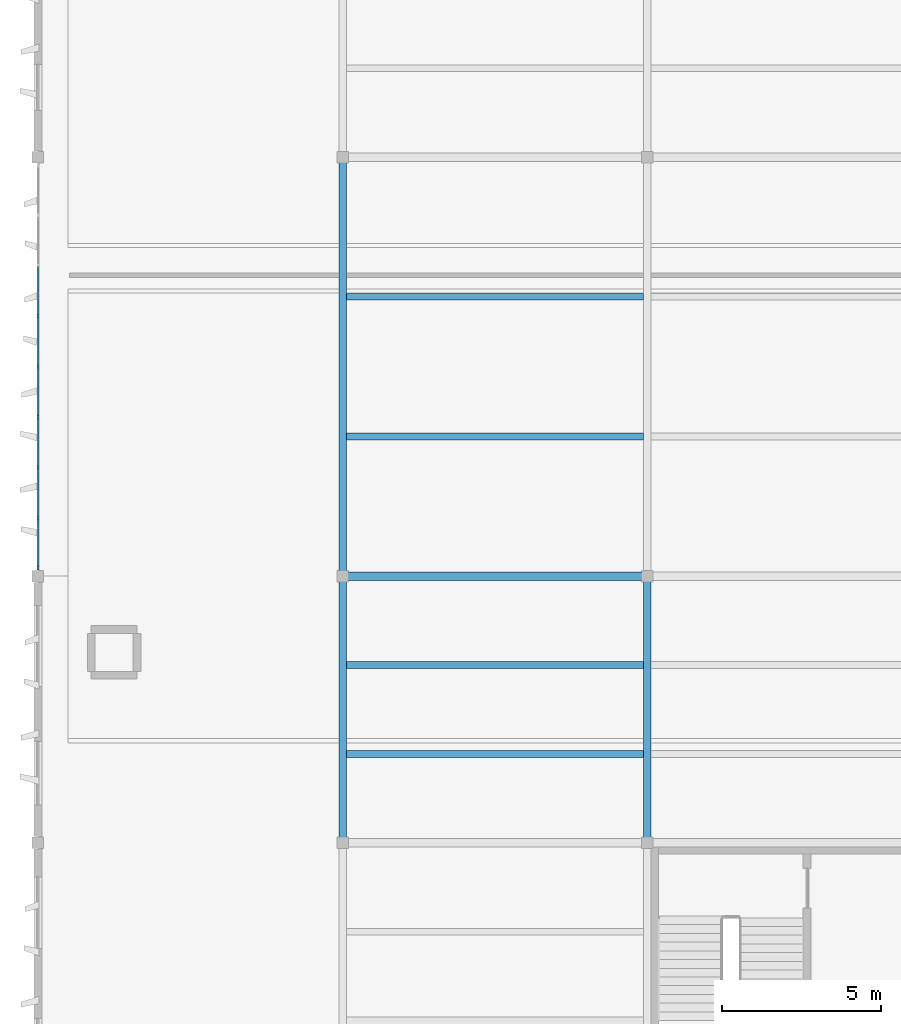
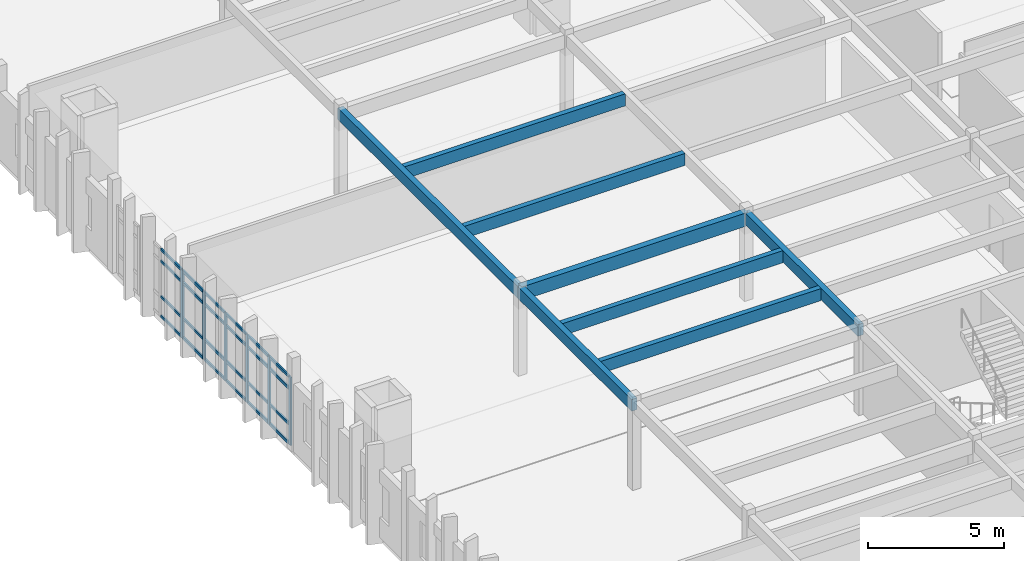
# One storey, part 7 of 61: 30 members, 8 beams, 1 element without a shape of its own.
"""IFC4 building model written with IfcOpenShell, lengths in metres."""

from ifc_helpers import new_model, si_unit, direction, frame, origin, origin_2d, place, context, subcontext, project, spatial, rectangle, extrude, material, layer, layer_set, material_profile, profile_set, type_object, element, aggregate, save


model = new_model("IFC4")

# Units and contexts
model_context = context("Model", 3, precision=1e-05, world=origin(), true_north=direction((0.0, 1.0)))
body_context = subcontext(model_context, "Body", "Model", "MODEL_VIEW")
ifc_project = project(units=[si_unit("LENGTHUNIT", "METRE"), si_unit("AREAUNIT", "SQUARE_METRE"), si_unit("VOLUMEUNIT", "CUBIC_METRE"), si_unit("PLANEANGLEUNIT", "RADIAN"), si_unit("MASSUNIT", "GRAM", prefix="KILO")], contexts=[model_context])

# Site, building, storey
site_placement = place(None, origin())
site = spatial("IfcSite", under=ifc_project, at=site_placement, CompositionType="ELEMENT")
building_placement = place(site_placement, origin())
building = spatial("IfcBuilding", under=site, at=building_placement, Name="Kolvemor Railside Polytechnic", CompositionType="ELEMENT")
storey_placement = place(building_placement, frame((0.0, 0.0, 10.199951171875)))
storey = spatial("IfcBuildingStorey", under=building, at=storey_placement, Name="L02", CompositionType="ELEMENT", Elevation=10.199951171875)

# Beams
ifc_material_1 = material(Name="Glulam GL28h", Category="wood")
ifc_material_profile_1 = material_profile(ifc_material_1, rectangle(XDim=0.264892578125, YDim=0.60009765625, at=origin_2d()), Name="GL265x600")
ifc_profile_set_1 = profile_set([ifc_material_profile_1], Name="Glulam GL28h")
beam_type_1 = type_object("IfcBeamType", Name="BM-GL-GIRD7", PredefinedType="BEAM", material=ifc_profile_set_1)
beam_1_placement = place(storey_placement, frame((9.60009765625, 38.39990234375, 3.650146484375), z_axis=(1.0, 0.0, 0.0), x_axis=(0.0, 1.0, 0.0)))
element("IfcBeam", 1, at=beam_1_placement, inside=storey, type_object=beam_type_1, Name="Primary Girder L03-GX 1109", PredefinedType="BEAM", context=body_context, shape_type="SweptSolid", body=[
    extrude(rectangle(XDim=0.264892578125, YDim=0.60009765625, at=origin_2d()), origin(), (0.0, 0.0, 1.0), 9.599853515625),
])
ifc_material_2 = material(Name="Glulam GL28h", Category="wood")
ifc_material_profile_2 = material_profile(ifc_material_2, rectangle(XDim=0.239990234375, YDim=0.52001953125, at=origin_2d()), Name="GL240x520")
ifc_profile_set_2 = profile_set([ifc_material_profile_2], Name="Glulam GL28h")
beam_type_2 = type_object("IfcBeamType", Name="BM-GL-GIRD8", PredefinedType="BEAM", material=ifc_profile_set_2)
beam_2_placement = place(storey_placement, frame((9.60009765625, 30.0, 3.68994140625), z_axis=(0.0, 1.0, 0.0), x_axis=(-1.0, 0.0, 0.0)))
element("IfcBeam", 2, at=beam_2_placement, inside=storey, type_object=beam_type_2, Name="Primary Girder L03-GY 1131", PredefinedType="BEAM", context=body_context, shape_type="SweptSolid", body=[
    extrude(rectangle(XDim=0.239990234375, YDim=0.52001953125, at=origin_2d()), origin(), (0.0, 0.0, 1.0), 8.39990234375),
])
beam_3_placement = place(storey_placement, frame((9.60009765625, 38.39990234375, 3.68994140625), z_axis=(0.0, 1.0, 0.0), x_axis=(-1.0, 0.0, 0.0)))
element("IfcBeam", 3, at=beam_3_placement, inside=storey, type_object=beam_type_2, Name="Primary Girder L03-GY 1132", PredefinedType="BEAM", context=body_context, shape_type="SweptSolid", body=[
    extrude(rectangle(XDim=0.239990234375, YDim=0.52001953125, at=origin_2d()), origin(), (0.0, 0.0, 1.0), 13.2001953125),
])
beam_4_placement = place(storey_placement, frame((19.199951171875, 30.0, 3.68994140625), z_axis=(0.0, 1.0, 0.0), x_axis=(-1.0, 0.0, 0.0)))
element("IfcBeam", 4, at=beam_4_placement, inside=storey, type_object=beam_type_2, Name="Primary Girder L03-GY 1138", PredefinedType="BEAM", context=body_context, shape_type="SweptSolid", body=[
    extrude(rectangle(XDim=0.239990234375, YDim=0.52001953125, at=origin_2d()), origin(), (0.0, 0.0, 1.0), 8.39990234375),
])
ifc_material_3 = material(Name="Glulam GL28h", Category="wood")
ifc_material_profile_3 = material_profile(ifc_material_3, rectangle(XDim=0.215087890625, YDim=0.5400390625, at=origin_2d()), Name="GL215x540")
ifc_profile_set_3 = profile_set([ifc_material_profile_3], Name="Glulam GL28h")
beam_type_3 = type_object("IfcBeamType", Name="BM-GL-JST1", PredefinedType="JOIST", material=ifc_profile_set_3)
for number, where, z_axis, x_axis, name in (
    (5, (9.719970703125, 32.800048828125, 3.679931640625), (1.0, 0.0, 0.0), (0.0, 1.0, 0.0), "Floor Joist L03-J1168"),
    (6, (9.719970703125, 35.60009765625, 3.679931640625), (1.0, 0.0, 0.0), (0.0, 1.0, 0.0), "Floor Joist L03-J1169"),
    (7, (9.719970703125, 42.800048828125, 3.679931640625), (1.0, 0.0, 0.0), (0.0, 1.0, 0.0), "Floor Joist L03-J1170"),
    (8, (9.719970703125, 47.199951171875, 3.679931640625), (1.0, 0.0, 0.0), (0.0, 1.0, 0.0), "Floor Joist L03-J1171"),
):
    element("IfcBeam", number, at=place(storey_placement, frame(where, z_axis=z_axis, x_axis=x_axis)), inside=storey, type_object=beam_type_3, Name=name, PredefinedType="JOIST", context=body_context, shape_type="SweptSolid", body=[
        extrude(rectangle(XDim=0.215087890625, YDim=0.5400390625, at=origin_2d()), origin(), (0.0, 0.0, 1.0), 9.360107421875),
    ])

# Curtain wall, members
ifc_material_4 = material(Name="Anodised marine aluminium and laminated low-E glass", Category="aluminium")
ifc_layer = layer(ifc_material_4, 0.179931640625, Name="CW-UNIT-STD")
ifc_layer_set = layer_set([ifc_layer], Name="Anodised marine aluminium and laminated low-E glass")
curtain_wall_type = type_object("IfcCurtainWallType", Name="CW-UNIT-STD", PredefinedType="USERDEFINED", material=ifc_layer_set)
curtain_wall_placement = place(storey_placement, origin())
curtain_wall = element("IfcCurtainWall", 9, at=curtain_wall_placement, inside=storey, type_object=curtain_wall_type, Name="Curtain Wall L02-054", ObjectType="UNITISED CURTAIN WALL", PredefinedType="USERDEFINED")
ifc_material_5 = material(Name="Anodised marine aluminium 6063-T6", Category="aluminium")
ifc_material_profile_4 = material_profile(ifc_material_5, rectangle(XDim=0.06494140625, YDim=0.14990234375, at=origin_2d()), Name="CW-MUL-65x150")
ifc_profile_set_4 = profile_set([ifc_material_profile_4], Name="Anodised marine aluminium 6063-T6")
member_type_1 = type_object("IfcMemberType", Name="CWM-65x150", PredefinedType="MULLION", material=ifc_profile_set_4)
member_1_placement = place(storey_placement, frame((0.0, 46.590087890625, 0.0), z_axis=(0.0, 0.0, 1.0), x_axis=(1.0, 0.0, 0.0)))
member_1 = element("IfcMember", 10, at=member_1_placement, type_object=member_type_1, Name="CW-STD mullion 4", PredefinedType="MULLION", context=body_context, shape_type="SweptSolid", body=[
    extrude(rectangle(XDim=0.06494140625, YDim=0.14990234375, at=origin_2d()), origin(), (0.0, 0.0, 1.0), 3.050048828125),
])
member_2_placement = place(storey_placement, frame((0.0, 45.0, 0.0), z_axis=(0.0, 0.0, 1.0), x_axis=(1.0, 0.0, 0.0)))
member_2 = element("IfcMember", 11, at=member_2_placement, type_object=member_type_1, Name="CW-STD mullion 5", PredefinedType="MULLION", context=body_context, shape_type="SweptSolid", body=[
    extrude(rectangle(XDim=0.06494140625, YDim=0.14990234375, at=origin_2d()), origin(), (0.0, 0.0, 1.0), 3.050048828125),
])
member_3_placement = place(storey_placement, frame((0.0, 43.409912109375, 0.0), z_axis=(0.0, 0.0, 1.0), x_axis=(1.0, 0.0, 0.0)))
member_3 = element("IfcMember", 12, at=member_3_placement, type_object=member_type_1, Name="CW-STD mullion 6", PredefinedType="MULLION", context=body_context, shape_type="SweptSolid", body=[
    extrude(rectangle(XDim=0.06494140625, YDim=0.14990234375, at=origin_2d()), origin(), (0.0, 0.0, 1.0), 3.050048828125),
])
member_4_placement = place(storey_placement, frame((0.0, 41.820068359375, 0.0), z_axis=(0.0, 0.0, 1.0), x_axis=(1.0, 0.0, 0.0)))
member_4 = element("IfcMember", 13, at=member_4_placement, type_object=member_type_1, Name="CW-STD mullion 7", PredefinedType="MULLION", context=body_context, shape_type="SweptSolid", body=[
    extrude(rectangle(XDim=0.06494140625, YDim=0.14990234375, at=origin_2d()), origin(), (0.0, 0.0, 1.0), 3.050048828125),
])
member_5_placement = place(storey_placement, frame((0.0, 40.22998046875, 0.0), z_axis=(0.0, 0.0, 1.0), x_axis=(1.0, 0.0, 0.0)))
member_5 = element("IfcMember", 14, at=member_5_placement, type_object=member_type_1, Name="CW-STD mullion 8", PredefinedType="MULLION", context=body_context, shape_type="SweptSolid", body=[
    extrude(rectangle(XDim=0.06494140625, YDim=0.14990234375, at=origin_2d()), origin(), (0.0, 0.0, 1.0), 3.050048828125),
])
member_6_placement = place(storey_placement, frame((0.0, 38.672607421875, 0.0), z_axis=(0.0, 0.0, 1.0), x_axis=(1.0, 0.0, 0.0)))
member_6 = element("IfcMember", 15, at=member_6_placement, type_object=member_type_1, Name="CW-STD mullion 9", PredefinedType="MULLION", context=body_context, shape_type="SweptSolid", body=[
    extrude(rectangle(XDim=0.06494140625, YDim=0.14990234375, at=origin_2d()), origin(), (0.0, 0.0, 1.0), 3.050048828125),
])
ifc_material_6 = material(Name="Anodised marine aluminium 6063-T6", Category="aluminium")
ifc_material_profile_5 = material_profile(ifc_material_6, rectangle(XDim=0.06494140625, YDim=0.1201171875, at=origin_2d()), Name="CW-TRN-65x120")
ifc_profile_set_5 = profile_set([ifc_material_profile_5], Name="Anodised marine aluminium 6063-T6")
member_type_2 = type_object("IfcMemberType", Name="CWT-65x120", PredefinedType="USERDEFINED", material=ifc_profile_set_5)
member_7_placement = place(storey_placement, frame((0.0, 48.1474609375, 0.032470703125), z_axis=(0.0, -1.0, 0.0), x_axis=(1.0, 0.0, 0.0)))
member_7 = element("IfcMember", 16, at=member_7_placement, type_object=member_type_2, Name="CW-STD transom 3.1", ObjectType="TRANSOM", PredefinedType="USERDEFINED", context=body_context, shape_type="SweptSolid", body=[
    extrude(rectangle(XDim=0.06494140625, YDim=0.1201171875, at=origin_2d()), origin(), (0.0, 0.0, 1.0), 1.52490234375),
])
member_8_placement = place(storey_placement, frame((0.0, 48.1474609375, 0.900146484375), z_axis=(0.0, -1.0, 0.0), x_axis=(1.0, 0.0, 0.0)))
member_8 = element("IfcMember", 17, at=member_8_placement, type_object=member_type_2, Name="CW-STD transom 3.2", ObjectType="TRANSOM", PredefinedType="USERDEFINED", context=body_context, shape_type="SweptSolid", body=[
    extrude(rectangle(XDim=0.06494140625, YDim=0.1201171875, at=origin_2d()), origin(), (0.0, 0.0, 1.0), 1.52490234375),
])
member_9_placement = place(storey_placement, frame((0.0, 48.1474609375, 2.5), z_axis=(0.0, -1.0, 0.0), x_axis=(1.0, 0.0, 0.0)))
member_9 = element("IfcMember", 18, at=member_9_placement, type_object=member_type_2, Name="CW-STD transom 3.3", ObjectType="TRANSOM", PredefinedType="USERDEFINED", context=body_context, shape_type="SweptSolid", body=[
    extrude(rectangle(XDim=0.06494140625, YDim=0.1201171875, at=origin_2d()), origin(), (0.0, 0.0, 1.0), 1.52490234375),
])
member_10_placement = place(storey_placement, frame((0.0, 48.1474609375, 3.017578125), z_axis=(0.0, -1.0, 0.0), x_axis=(1.0, 0.0, 0.0)))
member_10 = element("IfcMember", 19, at=member_10_placement, type_object=member_type_2, Name="CW-STD transom 3.4", ObjectType="TRANSOM", PredefinedType="USERDEFINED", context=body_context, shape_type="SweptSolid", body=[
    extrude(rectangle(XDim=0.06494140625, YDim=0.1201171875, at=origin_2d()), origin(), (0.0, 0.0, 1.0), 1.52490234375),
])
member_11_placement = place(storey_placement, frame((0.0, 46.5576171875, 0.032470703125), z_axis=(0.0, -1.0, 0.0), x_axis=(1.0, 0.0, 0.0)))
member_11 = element("IfcMember", 20, at=member_11_placement, type_object=member_type_2, Name="CW-STD transom 4.1", ObjectType="TRANSOM", PredefinedType="USERDEFINED", context=body_context, shape_type="SweptSolid", body=[
    extrude(rectangle(XDim=0.06494140625, YDim=0.1201171875, at=origin_2d()), origin(), (0.0, 0.0, 1.0), 1.525146484375),
])
member_12_placement = place(storey_placement, frame((0.0, 46.5576171875, 0.900146484375), z_axis=(0.0, -1.0, 0.0), x_axis=(1.0, 0.0, 0.0)))
member_12 = element("IfcMember", 21, at=member_12_placement, type_object=member_type_2, Name="CW-STD transom 4.2", ObjectType="TRANSOM", PredefinedType="USERDEFINED", context=body_context, shape_type="SweptSolid", body=[
    extrude(rectangle(XDim=0.06494140625, YDim=0.1201171875, at=origin_2d()), origin(), (0.0, 0.0, 1.0), 1.525146484375),
])
member_13_placement = place(storey_placement, frame((0.0, 46.5576171875, 2.5), z_axis=(0.0, -1.0, 0.0), x_axis=(1.0, 0.0, 0.0)))
member_13 = element("IfcMember", 22, at=member_13_placement, type_object=member_type_2, Name="CW-STD transom 4.3", ObjectType="TRANSOM", PredefinedType="USERDEFINED", context=body_context, shape_type="SweptSolid", body=[
    extrude(rectangle(XDim=0.06494140625, YDim=0.1201171875, at=origin_2d()), origin(), (0.0, 0.0, 1.0), 1.525146484375),
])
member_14_placement = place(storey_placement, frame((0.0, 46.5576171875, 3.017578125), z_axis=(0.0, -1.0, 0.0), x_axis=(1.0, 0.0, 0.0)))
member_14 = element("IfcMember", 23, at=member_14_placement, type_object=member_type_2, Name="CW-STD transom 4.4", ObjectType="TRANSOM", PredefinedType="USERDEFINED", context=body_context, shape_type="SweptSolid", body=[
    extrude(rectangle(XDim=0.06494140625, YDim=0.1201171875, at=origin_2d()), origin(), (0.0, 0.0, 1.0), 1.525146484375),
])
member_15_placement = place(storey_placement, frame((0.0, 44.967529296875, 0.032470703125), z_axis=(0.0, -1.0, 0.0), x_axis=(1.0, 0.0, 0.0)))
member_15 = element("IfcMember", 24, at=member_15_placement, type_object=member_type_2, Name="CW-STD transom 5.1", ObjectType="TRANSOM", PredefinedType="USERDEFINED", context=body_context, shape_type="SweptSolid", body=[
    extrude(rectangle(XDim=0.06494140625, YDim=0.1201171875, at=origin_2d()), origin(), (0.0, 0.0, 1.0), 1.525146484375),
])
member_16_placement = place(storey_placement, frame((0.0, 44.967529296875, 0.900146484375), z_axis=(0.0, -1.0, 0.0), x_axis=(1.0, 0.0, 0.0)))
member_16 = element("IfcMember", 25, at=member_16_placement, type_object=member_type_2, Name="CW-STD transom 5.2", ObjectType="TRANSOM", PredefinedType="USERDEFINED", context=body_context, shape_type="SweptSolid", body=[
    extrude(rectangle(XDim=0.06494140625, YDim=0.1201171875, at=origin_2d()), origin(), (0.0, 0.0, 1.0), 1.525146484375),
])
member_17_placement = place(storey_placement, frame((0.0, 44.967529296875, 2.5), z_axis=(0.0, -1.0, 0.0), x_axis=(1.0, 0.0, 0.0)))
member_17 = element("IfcMember", 26, at=member_17_placement, type_object=member_type_2, Name="CW-STD transom 5.3", ObjectType="TRANSOM", PredefinedType="USERDEFINED", context=body_context, shape_type="SweptSolid", body=[
    extrude(rectangle(XDim=0.06494140625, YDim=0.1201171875, at=origin_2d()), origin(), (0.0, 0.0, 1.0), 1.525146484375),
])
member_18_placement = place(storey_placement, frame((0.0, 44.967529296875, 3.017578125), z_axis=(0.0, -1.0, 0.0), x_axis=(1.0, 0.0, 0.0)))
member_18 = element("IfcMember", 27, at=member_18_placement, type_object=member_type_2, Name="CW-STD transom 5.4", ObjectType="TRANSOM", PredefinedType="USERDEFINED", context=body_context, shape_type="SweptSolid", body=[
    extrude(rectangle(XDim=0.06494140625, YDim=0.1201171875, at=origin_2d()), origin(), (0.0, 0.0, 1.0), 1.525146484375),
])
member_19_placement = place(storey_placement, frame((0.0, 43.37744140625, 0.032470703125), z_axis=(0.0, -1.0, 0.0), x_axis=(1.0, 0.0, 0.0)))
member_19 = element("IfcMember", 28, at=member_19_placement, type_object=member_type_2, Name="CW-STD transom 6.1", ObjectType="TRANSOM", PredefinedType="USERDEFINED", context=body_context, shape_type="SweptSolid", body=[
    extrude(rectangle(XDim=0.06494140625, YDim=0.1201171875, at=origin_2d()), origin(), (0.0, 0.0, 1.0), 1.52490234375),
])
member_20_placement = place(storey_placement, frame((0.0, 43.37744140625, 0.900146484375), z_axis=(0.0, -1.0, 0.0), x_axis=(1.0, 0.0, 0.0)))
member_20 = element("IfcMember", 29, at=member_20_placement, type_object=member_type_2, Name="CW-STD transom 6.2", ObjectType="TRANSOM", PredefinedType="USERDEFINED", context=body_context, shape_type="SweptSolid", body=[
    extrude(rectangle(XDim=0.06494140625, YDim=0.1201171875, at=origin_2d()), origin(), (0.0, 0.0, 1.0), 1.52490234375),
])
member_21_placement = place(storey_placement, frame((0.0, 43.37744140625, 2.5), z_axis=(0.0, -1.0, 0.0), x_axis=(1.0, 0.0, 0.0)))
member_21 = element("IfcMember", 30, at=member_21_placement, type_object=member_type_2, Name="CW-STD transom 6.3", ObjectType="TRANSOM", PredefinedType="USERDEFINED", context=body_context, shape_type="SweptSolid", body=[
    extrude(rectangle(XDim=0.06494140625, YDim=0.1201171875, at=origin_2d()), origin(), (0.0, 0.0, 1.0), 1.52490234375),
])
member_22_placement = place(storey_placement, frame((0.0, 43.37744140625, 3.017578125), z_axis=(0.0, -1.0, 0.0), x_axis=(1.0, 0.0, 0.0)))
member_22 = element("IfcMember", 31, at=member_22_placement, type_object=member_type_2, Name="CW-STD transom 6.4", ObjectType="TRANSOM", PredefinedType="USERDEFINED", context=body_context, shape_type="SweptSolid", body=[
    extrude(rectangle(XDim=0.06494140625, YDim=0.1201171875, at=origin_2d()), origin(), (0.0, 0.0, 1.0), 1.52490234375),
])
member_23_placement = place(storey_placement, frame((0.0, 41.78759765625, 0.032470703125), z_axis=(0.0, -1.0, 0.0), x_axis=(1.0, 0.0, 0.0)))
member_23 = element("IfcMember", 32, at=member_23_placement, type_object=member_type_2, Name="CW-STD transom 7.1", ObjectType="TRANSOM", PredefinedType="USERDEFINED", context=body_context, shape_type="SweptSolid", body=[
    extrude(rectangle(XDim=0.06494140625, YDim=0.1201171875, at=origin_2d()), origin(), (0.0, 0.0, 1.0), 1.525146484375),
])
member_24_placement = place(storey_placement, frame((0.0, 41.78759765625, 0.900146484375), z_axis=(0.0, -1.0, 0.0), x_axis=(1.0, 0.0, 0.0)))
member_24 = element("IfcMember", 33, at=member_24_placement, type_object=member_type_2, Name="CW-STD transom 7.2", ObjectType="TRANSOM", PredefinedType="USERDEFINED", context=body_context, shape_type="SweptSolid", body=[
    extrude(rectangle(XDim=0.06494140625, YDim=0.1201171875, at=origin_2d()), origin(), (0.0, 0.0, 1.0), 1.525146484375),
])
member_25_placement = place(storey_placement, frame((0.0, 41.78759765625, 2.5), z_axis=(0.0, -1.0, 0.0), x_axis=(1.0, 0.0, 0.0)))
member_25 = element("IfcMember", 34, at=member_25_placement, type_object=member_type_2, Name="CW-STD transom 7.3", ObjectType="TRANSOM", PredefinedType="USERDEFINED", context=body_context, shape_type="SweptSolid", body=[
    extrude(rectangle(XDim=0.06494140625, YDim=0.1201171875, at=origin_2d()), origin(), (0.0, 0.0, 1.0), 1.525146484375),
])
member_26_placement = place(storey_placement, frame((0.0, 41.78759765625, 3.017578125), z_axis=(0.0, -1.0, 0.0), x_axis=(1.0, 0.0, 0.0)))
member_26 = element("IfcMember", 35, at=member_26_placement, type_object=member_type_2, Name="CW-STD transom 7.4", ObjectType="TRANSOM", PredefinedType="USERDEFINED", context=body_context, shape_type="SweptSolid", body=[
    extrude(rectangle(XDim=0.06494140625, YDim=0.1201171875, at=origin_2d()), origin(), (0.0, 0.0, 1.0), 1.525146484375),
])
member_27_placement = place(storey_placement, frame((0.0, 40.197509765625, 0.032470703125), z_axis=(0.0, -1.0, 0.0), x_axis=(1.0, 0.0, 0.0)))
member_27 = element("IfcMember", 36, at=member_27_placement, type_object=member_type_2, Name="CW-STD transom 8.1", ObjectType="TRANSOM", PredefinedType="USERDEFINED", context=body_context, shape_type="SweptSolid", body=[
    extrude(rectangle(XDim=0.06494140625, YDim=0.1201171875, at=origin_2d()), origin(), (0.0, 0.0, 1.0), 1.492431640625),
])
member_28_placement = place(storey_placement, frame((0.0, 40.197509765625, 0.900146484375), z_axis=(0.0, -1.0, 0.0), x_axis=(1.0, 0.0, 0.0)))
member_28 = element("IfcMember", 37, at=member_28_placement, type_object=member_type_2, Name="CW-STD transom 8.2", ObjectType="TRANSOM", PredefinedType="USERDEFINED", context=body_context, shape_type="SweptSolid", body=[
    extrude(rectangle(XDim=0.06494140625, YDim=0.1201171875, at=origin_2d()), origin(), (0.0, 0.0, 1.0), 1.492431640625),
])
member_29_placement = place(storey_placement, frame((0.0, 40.197509765625, 2.5), z_axis=(0.0, -1.0, 0.0), x_axis=(1.0, 0.0, 0.0)))
member_29 = element("IfcMember", 38, at=member_29_placement, type_object=member_type_2, Name="CW-STD transom 8.3", ObjectType="TRANSOM", PredefinedType="USERDEFINED", context=body_context, shape_type="SweptSolid", body=[
    extrude(rectangle(XDim=0.06494140625, YDim=0.1201171875, at=origin_2d()), origin(), (0.0, 0.0, 1.0), 1.492431640625),
])
member_30_placement = place(storey_placement, frame((0.0, 40.197509765625, 3.017578125), z_axis=(0.0, -1.0, 0.0), x_axis=(1.0, 0.0, 0.0)))
member_30 = element("IfcMember", 39, at=member_30_placement, type_object=member_type_2, Name="CW-STD transom 8.4", ObjectType="TRANSOM", PredefinedType="USERDEFINED", context=body_context, shape_type="SweptSolid", body=[
    extrude(rectangle(XDim=0.06494140625, YDim=0.1201171875, at=origin_2d()), origin(), (0.0, 0.0, 1.0), 1.492431640625),
])
aggregate(curtain_wall, [member_1, member_2, member_3, member_4, member_5, member_6, member_7, member_8, member_9, member_10, member_11, member_12, member_13, member_14, member_15, member_16, member_17, member_18, member_19, member_20, member_21, member_22, member_23, member_24, member_25, member_26, member_27, member_28, member_29, member_30])

save(model, "model.ifc")
